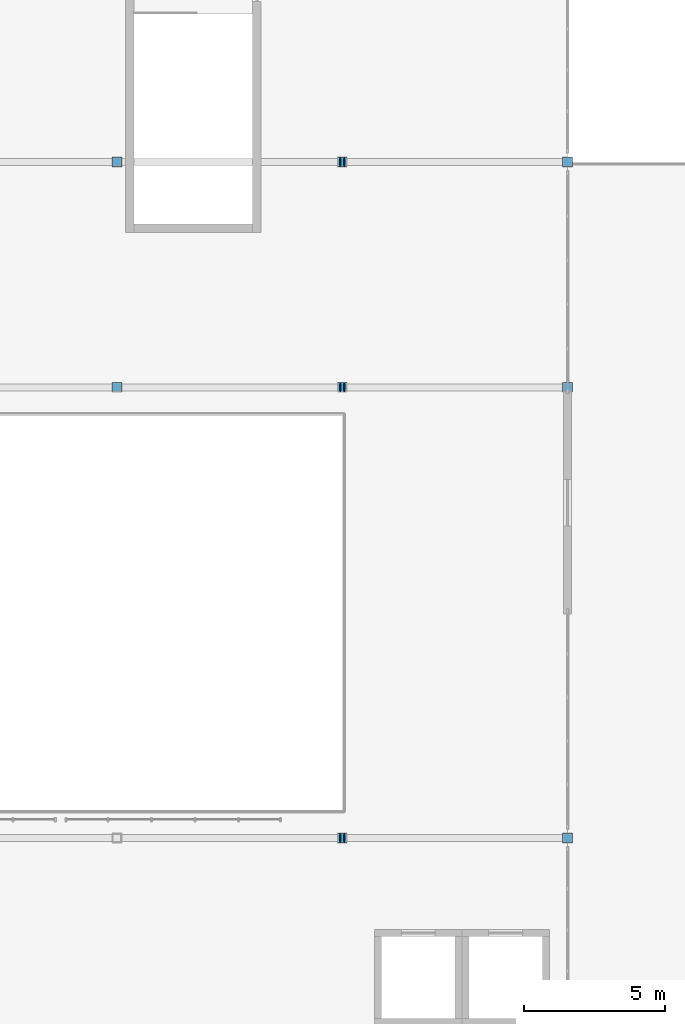
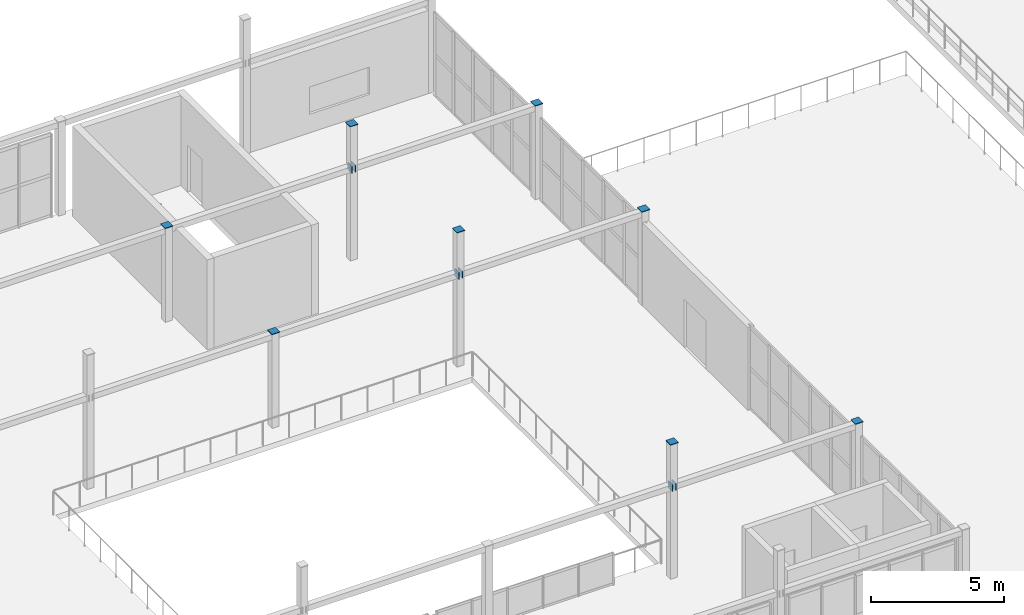
# One storey, part 69 of 83: 14 discrete accessories.
"""IFC4 building model written with IfcOpenShell, lengths in metres."""

from ifc_helpers import new_model, si_unit, direction, frame, origin, origin_2d, place, context, subcontext, project, spatial, rectangle, extrude, material, type_object, element, save


model = new_model("IFC4")

# Units and contexts
model_context = context("Model", 3, precision=1e-05, world=origin(), true_north=direction((0.0, 1.0)))
body_context = subcontext(model_context, "Body", "Model", "MODEL_VIEW")
ifc_project = project(units=[si_unit("LENGTHUNIT", "METRE"), si_unit("AREAUNIT", "SQUARE_METRE"), si_unit("VOLUMEUNIT", "CUBIC_METRE"), si_unit("PLANEANGLEUNIT", "RADIAN"), si_unit("MASSUNIT", "GRAM", prefix="KILO")], contexts=[model_context])

# Site, building, storey
site_placement = place(None, origin())
site = spatial("IfcSite", under=ifc_project, at=site_placement, CompositionType="ELEMENT")
building_placement = place(site_placement, origin())
building = spatial("IfcBuilding", under=site, at=building_placement, Name="Drelvath Fold Interchange", CompositionType="ELEMENT")
storey_placement = place(building_placement, frame((0.0, 0.0, 11.199951171875)))
storey = spatial("IfcBuildingStorey", under=building, at=storey_placement, Name="L02", CompositionType="ELEMENT", Elevation=11.199951171875)

# Discrete accessories
ifc_material = material(Name="Steel ASTM A572 Grade 50", Category="steel")
discrete_accessory_type = type_object("IfcDiscreteAccessoryType", Name="AC-CAP380", PredefinedType="BRACKET", material=ifc_material)
for number, where, z_axis, x_axis, name in (
    (1, (68.0, 83.0, 4.2900390625), (0.0, 0.0, 1.0), (1.0, 0.0, 0.0), "Welded hollow column end cap 79"),
    (2, (68.0, 91.0, 4.2900390625), (0.0, 0.0, 1.0), (1.0, 0.0, 0.0), "Welded hollow column end cap 80"),
    (3, (76.0, 67.0, 6.14013671875), (0.0, 0.0, 1.0), (1.0, 0.0, 0.0), "Welded hollow column end cap 83"),
    (4, (76.0, 83.0, 6.14013671875), (0.0, 0.0, 1.0), (1.0, 0.0, 0.0), "Welded hollow column end cap 84"),
    (5, (76.0, 91.0, 6.14013671875), (0.0, 0.0, 1.0), (1.0, 0.0, 0.0), "Welded hollow column end cap 85"),
    (6, (84.0, 67.0, 4.2900390625), (0.0, 0.0, 1.0), (1.0, 0.0, 0.0), "Welded hollow column end cap 88"),
    (7, (84.0, 83.0, 4.2900390625), (0.0, 0.0, 1.0), (1.0, 0.0, 0.0), "Welded hollow column end cap 89"),
    (8, (84.0, 91.0, 4.2900390625), (0.0, 0.0, 1.0), (1.0, 0.0, 0.0), "Welded hollow column end cap 90"),
):
    element("IfcDiscreteAccessory", number, at=place(storey_placement, frame(where, z_axis=z_axis, x_axis=x_axis)), inside=storey, type_object=discrete_accessory_type, Name=name, PredefinedType="BRACKET", context=body_context, shape_type="SweptSolid", body=[
        extrude(rectangle(XDim=0.344970703125, YDim=0.344970703125, at=origin_2d()), origin(), (0.0, 0.0, 1.0), 0.030029296875),
    ])
for number, where, z_axis, x_axis, name in (
    (9, (75.925048828125, 67.0, 3.9931640625), (0.0, 0.0, 1.0), (1.0, 0.0, 0.0), "Welded hollow member end cap 472"),
    (10, (75.925048828125, 83.0, 3.9931640625), (0.0, 0.0, 1.0), (1.0, 0.0, 0.0), "Welded hollow member end cap 475"),
    (11, (75.925048828125, 91.0, 3.9931640625), (0.0, 0.0, 1.0), (1.0, 0.0, 0.0), "Welded hollow member end cap 478"),
    (12, (76.074951171875, 67.0, 3.9931640625), (0.0, 0.0, 1.0), (1.0, 0.0, 0.0), "Welded hollow member end cap 496"),
    (13, (76.074951171875, 83.0, 3.9931640625), (0.0, 0.0, 1.0), (1.0, 0.0, 0.0), "Welded hollow member end cap 498"),
    (14, (76.074951171875, 91.0, 3.9931640625), (0.0, 0.0, 1.0), (1.0, 0.0, 0.0), "Welded hollow member end cap 500"),
):
    element("IfcDiscreteAccessory", number, at=place(storey_placement, frame(where, z_axis=z_axis, x_axis=x_axis)), inside=storey, type_object=discrete_accessory_type, Name=name, PredefinedType="BRACKET", context=body_context, shape_type="SweptSolid", body=[
        extrude(rectangle(XDim=0.0400390625, YDim=0.31396484375, at=origin_2d()), origin(), (0.0, 0.0, 1.0), 0.31396484375),
    ])

save(model, "model.ifc")
